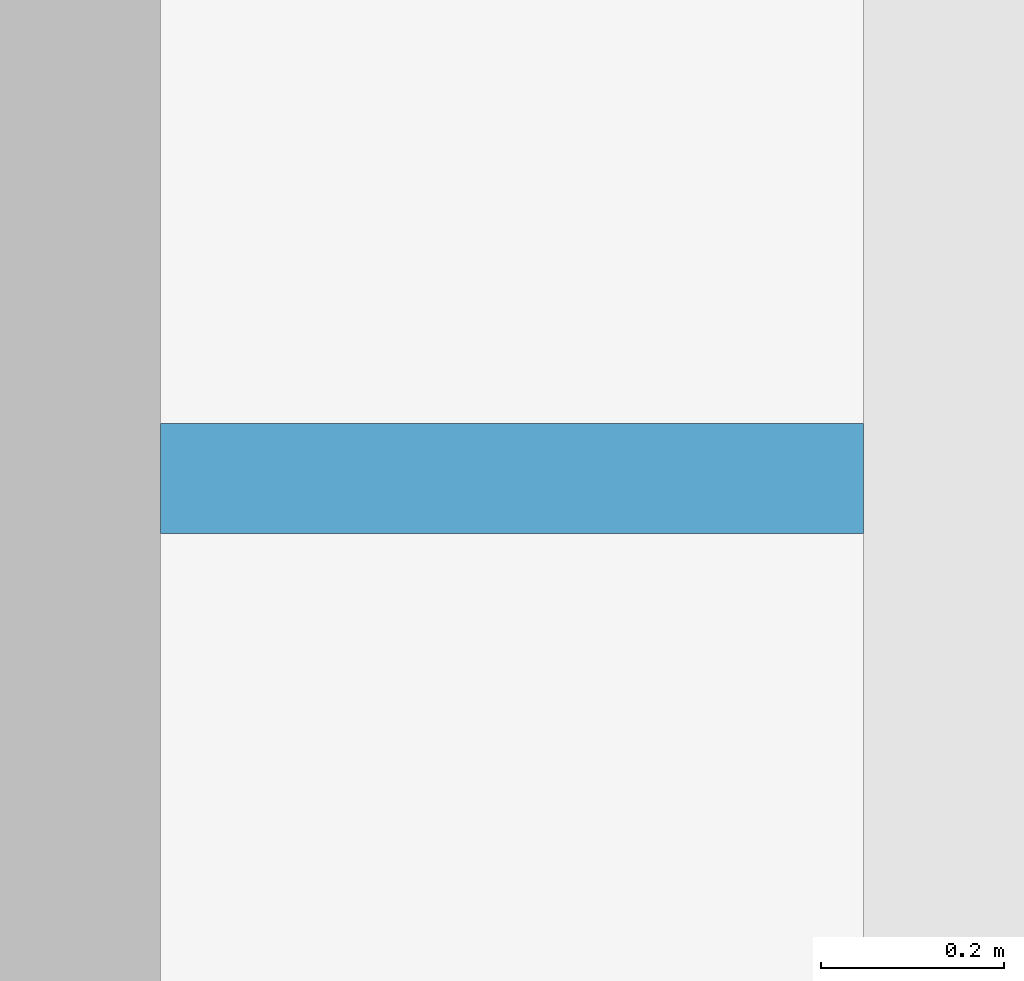
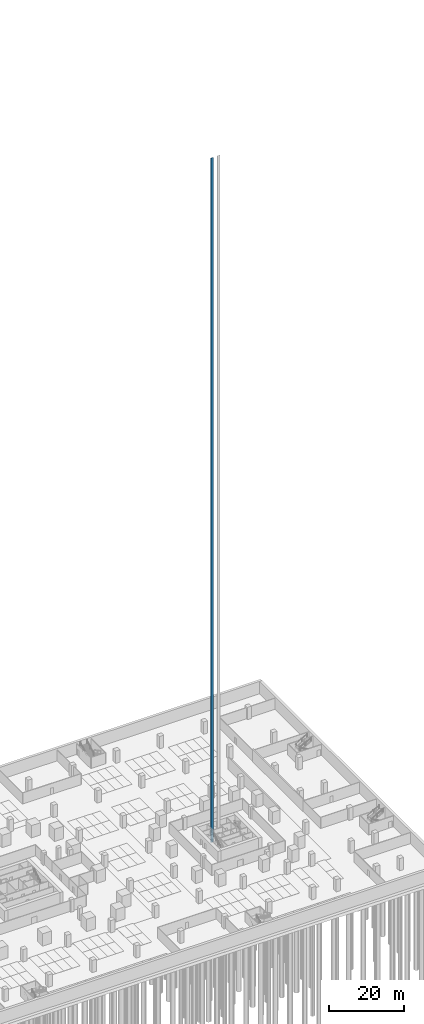
# One storey, part 23 of 40: 1 discrete accessory.
"""IFC4 building model written with IfcOpenShell, lengths in metres."""

import ifcopenshell
import ifcopenshell.guid

model = None  # the IFC model being written
_history = None  # IfcOwnerHistory: only IFC2X3 demands one
_inside = {}  # id of a spatial element -> (the spatial element, [elements in it])
_under = {}  # id of a project, library or spatial element -> (it, [spatial elements below it])
_declared = {}  # id of a project -> (the project, [libraries it declares])
_typed = {}  # id of a type object -> (the type object, [elements of that type])
_made_of = {}  # id of a material, layer set ... -> (it, [elements and type objects made of it])


def new_model(schema):
    """Start an empty IFC model of exactly this schema.

    Asked for "IFC4X3", IfcOpenShell would pick the latest addendum, in which some entities
    have other attributes; the version numbers below select the first issue.
    IFC2X3 requires an IfcOwnerHistory on every rooted entity: one is made here for all.
    """
    global model, _history
    if schema == "IFC4X3":
        model = ifcopenshell.file(schema_version=(4, 3, 0, 0))
    else:
        model = ifcopenshell.file(schema=schema)
    _inside.clear()
    _under.clear()
    _declared.clear()
    _typed.clear()
    _made_of.clear()
    _history = None
    if model.schema == "IFC2X3":
        org = make("IfcOrganization", Name="unknown")
        user = make(
            "IfcPersonAndOrganization",
            ThePerson=make("IfcPerson", FamilyName="unknown"),
            TheOrganization=org,
        )
        app = make(
            "IfcApplication",
            ApplicationDeveloper=org,
            Version="unknown",
            ApplicationFullName="unknown",
            ApplicationIdentifier="unknown",
        )
        _history = make(
            "IfcOwnerHistory",
            OwningUser=user,
            OwningApplication=app,
            ChangeAction="ADDED",
            CreationDate=0,
        )
    return model


def make(cls, **values):
    """One entity of the class cls with the attributes given. An attribute that is None is left unset."""
    return model.create_entity(
        cls, **{name: value for name, value in values.items() if value is not None}
    )


def rooted(cls, **values):
    """An entity with a GlobalId (a new one), such as an element, a storey or a relation."""
    return make(cls, GlobalId=ifcopenshell.guid.new(), OwnerHistory=_history, **values)


def si_unit(unit_type, name, prefix=None):
    """IfcSIUnit, for example si_unit("LENGTHUNIT", "METRE", prefix="MILLI")."""
    return make("IfcSIUnit", UnitType=unit_type, Prefix=prefix, Name=name)


def assignment(units):
    """IfcUnitAssignment: the units of a project."""
    return None if units is None else make("IfcUnitAssignment", Units=units)


def point(xyz):
    """IfcCartesianPoint."""
    return None if xyz is None else make("IfcCartesianPoint", Coordinates=xyz)


def direction(xyz):
    """IfcDirection."""
    return None if xyz is None else make("IfcDirection", DirectionRatios=xyz)


def frame(location, z_axis=None, x_axis=None):
    """IfcAxis2Placement3D, a coordinate frame: its origin and axes. An axis left out is left unset."""
    return make(
        "IfcAxis2Placement3D",
        Location=point(location),
        Axis=direction(z_axis),
        RefDirection=direction(x_axis),
    )


def frame_2d(location, x_axis=None):
    """IfcAxis2Placement2D, a coordinate frame in the plane: its origin and x axis."""
    return make(
        "IfcAxis2Placement2D", Location=point(location), RefDirection=direction(x_axis)
    )


def origin():
    """The frame at (0, 0, 0) with its axes left unset."""
    return frame((0.0, 0.0, 0.0))


def origin_2d():
    """The frame at (0, 0) in the plane with its x axis left unset."""
    return frame_2d((0.0, 0.0))


def place(relative_to, where):
    """IfcLocalPlacement: puts the frame where relative to a parent placement (None: the world)."""
    return make(
        "IfcLocalPlacement", PlacementRelTo=relative_to, RelativePlacement=where
    )


def context(
    kind, dimensions, precision=None, world=None, true_north=None, identifier=None
):
    """IfcGeometricRepresentationContext, for example the 3D "Model" context."""
    return make(
        "IfcGeometricRepresentationContext",
        ContextIdentifier=identifier,
        ContextType=kind,
        CoordinateSpaceDimension=dimensions,
        Precision=precision,
        WorldCoordinateSystem=world,
        TrueNorth=true_north,
    )


def subcontext(parent, identifier, kind, view, scale=None):
    """IfcGeometricRepresentationSubContext, for example "Body" below "Model"."""
    return make(
        "IfcGeometricRepresentationSubContext",
        ContextIdentifier=identifier,
        ContextType=kind,
        ParentContext=parent,
        TargetScale=scale,
        TargetView=view,
    )


def project(units=None, contexts=None):
    """IfcProject with its units and contexts."""
    return rooted(
        "IfcProject",
        Name="project",
        RepresentationContexts=contexts,
        UnitsInContext=assignment(units),
    )


def spatial(cls, under=None, at=None, **own):
    """A site, building, storey or space (cls), placed at a placement, below another one or the project."""
    s = rooted(cls, ObjectPlacement=at, **own)
    if under is not None:
        _under.setdefault(under.id(), (under, []))[1].append(s)
    return s


def profile(cls, at=None, kind="AREA", **sizes):
    """A parametric profile (cls). Its sizes go by their IFC names, for example OverallWidth=200.0."""
    return make(cls, ProfileType=kind, Position=at, **sizes)


def rectangle(**sizes):
    """IfcRectangleProfileDef."""
    return profile("IfcRectangleProfileDef", **sizes)


def extrude(swept, where, along, depth):
    """IfcExtrudedAreaSolid: the profile swept, set in the frame where, extruded along a direction by depth."""
    return make(
        "IfcExtrudedAreaSolid",
        SweptArea=swept,
        Position=where,
        ExtrudedDirection=direction(along),
        Depth=depth,
    )


def shape(context_of_items, identifier, shape_type, items):
    """IfcShapeRepresentation: the items that make up one representation, for example the "Body"."""
    return make(
        "IfcShapeRepresentation",
        ContextOfItems=context_of_items,
        RepresentationIdentifier=identifier,
        RepresentationType=shape_type,
        Items=items,
    )


def made_of(thing, what):
    """Note that an element or type object is made of a material, layer set ...; save() writes the relation."""
    if what is not None:
        _made_of.setdefault(what.id(), (what, []))[1].append(thing)
    return thing


def element(
    cls,
    number,
    at=None,
    inside=None,
    cuts=None,
    type_object=None,
    material=None,
    context=None,
    identifier="Body",
    shape_type=None,
    held_by="IfcProductDefinitionShape",
    body=None,
    shapes=None,
    **own,
):
    """One element of the class cls, such as IfcWall. Its Tag is "e" and its number.

    at: its placement. inside: the storey or other place that contains it. cuts: it is an
    opening in that element (IfcRelVoidsElement). A single representation is given by context,
    identifier, shape_type and body (its items); several are given by shapes. held_by: the class
    of the entity that holds the representations. save() writes the other relations.
    """
    e = rooted(cls, Tag="e%d" % number, ObjectPlacement=at, **own)
    if body is not None:
        shapes = [shape(context, identifier, shape_type, body)]
    if shapes is not None:
        e.Representation = make(held_by, Representations=shapes)
    if inside is not None:
        _inside.setdefault(inside.id(), (inside, []))[1].append(e)
    if cuts is not None:
        rooted(
            "IfcRelVoidsElement", RelatingBuildingElement=cuts, RelatedOpeningElement=e
        )
    if type_object is not None:
        _typed.setdefault(type_object.id(), (type_object, []))[1].append(e)
    return made_of(e, material)


def aggregate(whole, parts):
    """IfcRelAggregates: a whole, such as a stair, and the parts it consists of."""
    return rooted("IfcRelAggregates", RelatingObject=whole, RelatedObjects=parts)


def save(model, path):
    """Write the relations noted so far, then the file.

    IfcRelAggregates (storeys below a building ...), IfcRelContainedInSpatialStructure (elements
    in a storey), IfcRelDefinesByType, IfcRelAssociatesMaterial and IfcRelDeclares: one each for
    every whole, place, type object, material and project.
    """
    for whole, parts in _under.values():
        aggregate(whole, parts)
    for where, things in _inside.values():
        rooted(
            "IfcRelContainedInSpatialStructure",
            RelatedElements=things,
            RelatingStructure=where,
        )
    for kind, things in _typed.values():
        rooted("IfcRelDefinesByType", RelatedObjects=things, RelatingType=kind)
    for what, things in _made_of.values():
        rooted("IfcRelAssociatesMaterial", RelatedObjects=things, RelatingMaterial=what)
    for by, libraries in _declared.values():
        rooted("IfcRelDeclares", RelatingContext=by, RelatedDefinitions=libraries)
    model.write(path)


model = new_model("IFC4")

# Units and contexts
model_context = context("Model", 3, precision=1e-05, world=origin(), true_north=direction((0.0, 1.0)))
body_context = subcontext(model_context, "Body", "Model", "MODEL_VIEW")
ifc_project = project(units=[si_unit("LENGTHUNIT", "METRE"), si_unit("AREAUNIT", "SQUARE_METRE"), si_unit("VOLUMEUNIT", "CUBIC_METRE"), si_unit("PLANEANGLEUNIT", "RADIAN"), si_unit("MASSUNIT", "GRAM", prefix="KILO")], contexts=[model_context])

# Site, building, storey
site_placement = place(None, origin())
site = spatial("IfcSite", under=ifc_project, at=site_placement, CompositionType="ELEMENT")
building_placement = place(site_placement, origin())
building = spatial("IfcBuilding", under=site, at=building_placement, Name="Altepetl Exchange Towers", CompositionType="ELEMENT")
storey_placement = place(building_placement, frame((0.0, 0.0, -8.0)))
storey = spatial("IfcBuildingStorey", under=building, at=storey_placement, Name="B2 Basement parking", CompositionType="ELEMENT", Elevation=-8.0)

# Discrete accessory
discrete_accessory_placement = place(storey_placement, frame((107.916748046875, 46.800048828125, -1.60009765625)))
element("IfcDiscreteAccessory", 1, at=discrete_accessory_placement, inside=storey, Name="Guide rail FFL1", ObjectType="GUIDE RAIL", PredefinedType="USERDEFINED", context=body_context, shape_type="SweptSolid", body=[
    extrude(rectangle(XDim=0.7666015625, YDim=0.1201171875, at=origin_2d()), origin(), (0.0, 0.0, 1.0), 222.5),
])

save(model, "model.ifc")
